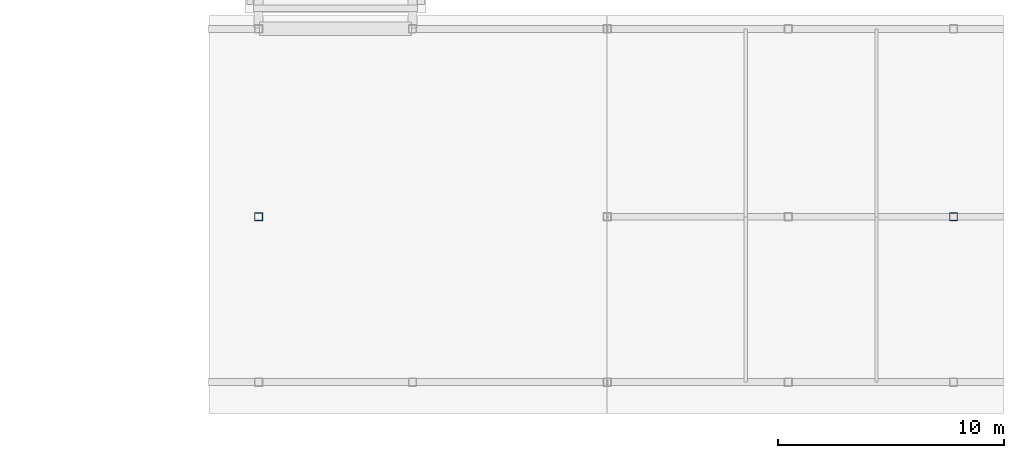
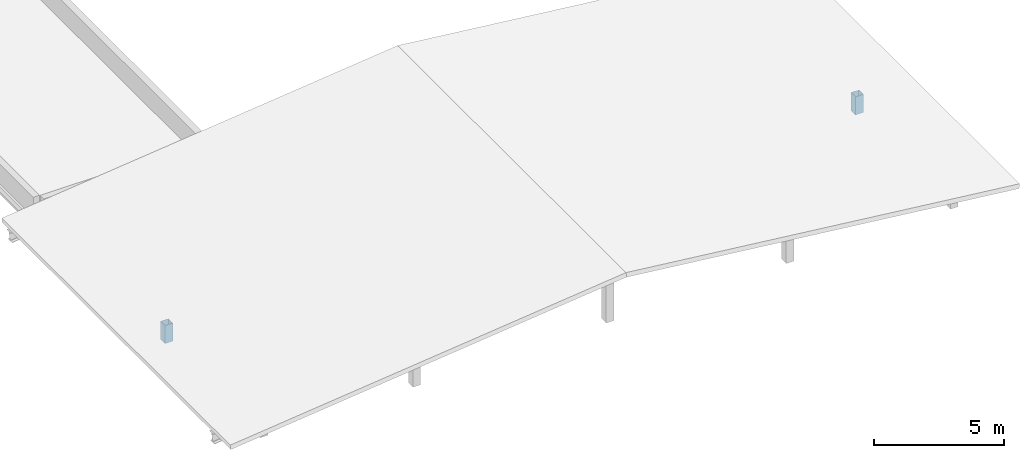
# One storey, part 6 of 49: 2 columns.
"""IFC4 building model written with IfcOpenShell, lengths in metres."""

from ifc_helpers import new_model, si_unit, direction, frame, origin, origin_2d, place, context, subcontext, project, spatial, hollow_rectangle, extrude, material, material_profile, profile_set, type_object, element, save


model = new_model("IFC4")

# Units and contexts
model_context = context("Model", 3, precision=1e-05, world=origin(), true_north=direction((0.0, 1.0)))
body_context = subcontext(model_context, "Body", "Model", "MODEL_VIEW")
ifc_project = project(units=[si_unit("LENGTHUNIT", "METRE"), si_unit("AREAUNIT", "SQUARE_METRE"), si_unit("VOLUMEUNIT", "CUBIC_METRE"), si_unit("PLANEANGLEUNIT", "RADIAN"), si_unit("MASSUNIT", "GRAM", prefix="KILO")], contexts=[model_context])

# Site, building, storey
site_placement = place(None, origin())
site = spatial("IfcSite", under=ifc_project, at=site_placement, CompositionType="ELEMENT")
building_placement = place(site_placement, origin())
building = spatial("IfcBuilding", under=site, at=building_placement, Name="Soyqirgoq Riverine Aquarium", CompositionType="ELEMENT")
storey_placement = place(building_placement, frame((0.0, 0.0, 15.0)))
storey = spatial("IfcBuildingStorey", under=building, at=storey_placement, Name="L04", CompositionType="ELEMENT", Elevation=15.0)

# Columns
ifc_material = material(Name="Structural steel S355", Category="steel")
ifc_material_profile = material_profile(ifc_material, hollow_rectangle(XDim=0.35009765625, YDim=0.35009765625, WallThickness=0.01611328125, at=origin_2d()), Name="SHS 350x350x16")
ifc_profile_set = profile_set([ifc_material_profile], Name="Structural steel S355")
column_type = type_object("IfcColumnType", Name="Col_Steel_SHS350", PredefinedType="COLUMN", material=ifc_profile_set)
column_1_placement = place(storey_placement, frame((122.60009765625, 9.5, -0.260009765625), z_axis=(0.0, 0.0, 1.0), x_axis=(1.0, 0.0, 0.0)))
element("IfcColumn", 1, at=column_1_placement, inside=storey, type_object=column_type, Name="V6 Roof Support Column W02", PredefinedType="COLUMN", context=body_context, shape_type="SweptSolid", body=[
    extrude(hollow_rectangle(XDim=0.35009765625, YDim=0.35009765625, WallThickness=0.01611328125, at=origin_2d()), origin(), (0.0, 0.0, 1.0), 0.848388671875),
])
column_2_placement = place(storey_placement, frame((153.300048828125, 9.5, -0.260009765625), z_axis=(0.0, 0.0, 1.0), x_axis=(1.0, 0.0, 0.0)))
element("IfcColumn", 2, at=column_2_placement, inside=storey, type_object=column_type, Name="V6 Roof Support Column E02", PredefinedType="COLUMN", context=body_context, shape_type="SweptSolid", body=[
    extrude(hollow_rectangle(XDim=0.35009765625, YDim=0.35009765625, WallThickness=0.01611328125, at=origin_2d()), origin(), (0.0, 0.0, 1.0), 0.849853515625),
])

save(model, "model.ifc")
